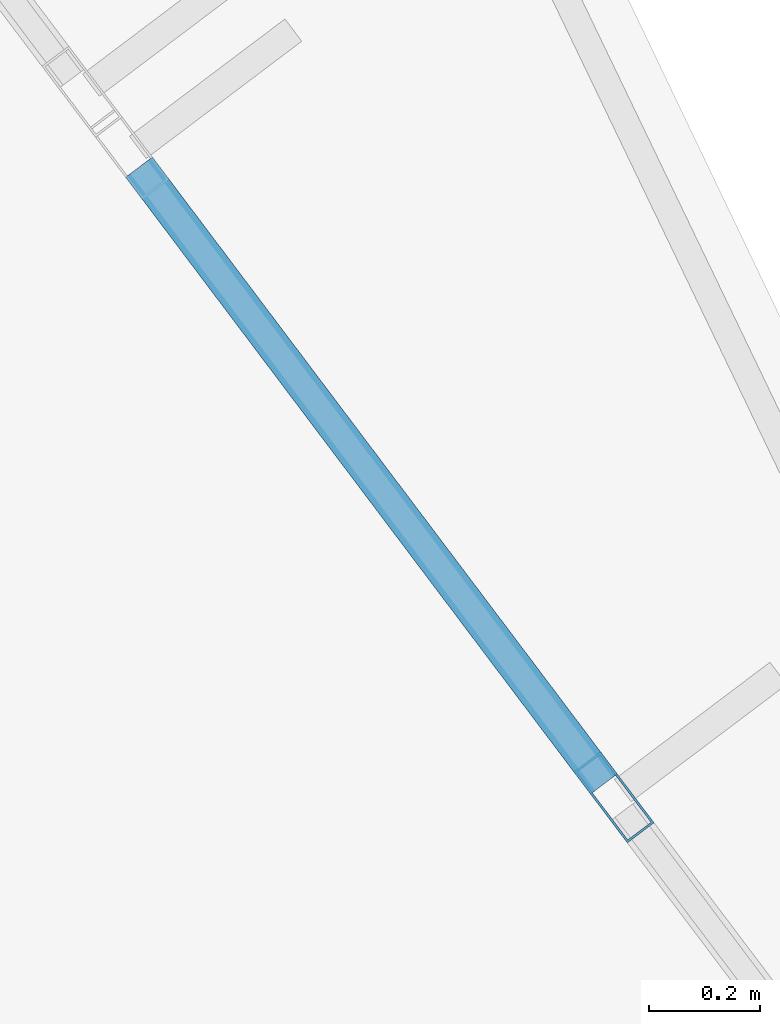
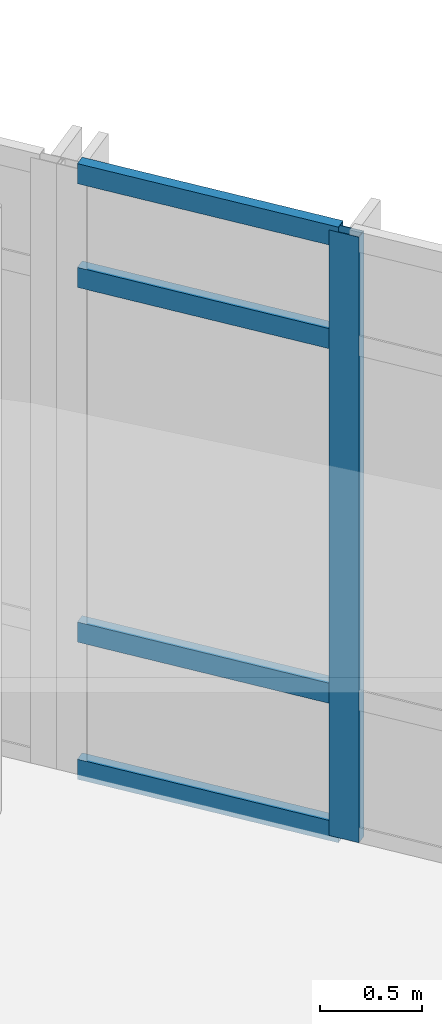
# One storey, part 47 of 74: 5 members, 1 element without a shape of its own.
"""IFC4 building model written with IfcOpenShell, lengths in metres."""

from ifc_helpers import new_model, si_unit, derived_unit, direction, frame, origin, origin_2d, place, context, subcontext, project, spatial, hollow_rectangle, extrude, material, layer, layer_set, material_profile, profile_set, type_object, element, aggregate, save


model = new_model("IFC4")

# Units and contexts
model_context = context("Model", 3, precision=1e-05, world=origin(), true_north=direction((0.0, 1.0)))
body_context = subcontext(model_context, "Body", "Model", "MODEL_VIEW")
ifc_project = project(units=[si_unit("LENGTHUNIT", "METRE"), si_unit("AREAUNIT", "SQUARE_METRE"), si_unit("VOLUMEUNIT", "CUBIC_METRE"), si_unit("PLANEANGLEUNIT", "RADIAN"), si_unit("MASSUNIT", "GRAM", prefix="KILO"), derived_unit("THERMALTRANSMITTANCEUNIT", [(si_unit("POWERUNIT", "WATT"), 1), (si_unit("LENGTHUNIT", "METRE"), -2), (si_unit("THERMODYNAMICTEMPERATUREUNIT", "KELVIN"), -1)])], contexts=[model_context])

# Site, building, storey
site_placement = place(None, origin())
site = spatial("IfcSite", under=ifc_project, at=site_placement, CompositionType="ELEMENT")
building_placement = place(site_placement, origin())
building = spatial("IfcBuilding", under=site, at=building_placement, Name="Elbkamm Science Centre", CompositionType="ELEMENT")
storey_placement = place(building_placement, frame((0.0, 0.0, 14.39990234375)))
storey = spatial("IfcBuildingStorey", under=building, at=storey_placement, Name="L03", CompositionType="ELEMENT", Elevation=14.39990234375)

# Curtain wall, members
ifc_material_1 = material(Name="Powder-coated aluminium and triple low-E glazing", Category="aluminium")
ifc_layer = layer(ifc_material_1, 0.159912109375)
ifc_layer_set = layer_set([ifc_layer], Name="Powder-coated aluminium and triple low-E glazing")
curtain_wall_type = type_object("IfcCurtainWallType", Name="CW-UNIT-2960x3620", PredefinedType="USERDEFINED", material=ifc_layer_set)
curtain_wall_placement = place(storey_placement, origin())
curtain_wall = element("IfcCurtainWall", 1, at=curtain_wall_placement, inside=storey, type_object=curtain_wall_type, Name="L03 Unitised Curtain Wall 049", ObjectType="UNITISED CURTAIN WALL", PredefinedType="USERDEFINED")
ifc_material_2 = material(Name="Powder-coated aluminium EN AW-6060", Category="aluminium")
ifc_material_profile_1 = material_profile(ifc_material_2, hollow_rectangle(XDim=0.06005859375, YDim=0.159912109375, WallThickness=0.00390625, at=origin_2d()), Name="ALU M60x160")
ifc_profile_set_1 = profile_set([ifc_material_profile_1], Name="Powder-coated aluminium EN AW-6060")
member_type_1 = type_object("IfcMemberType", Name="CW-MUL-60x160", PredefinedType="MULLION", material=ifc_profile_set_1)
member_1_placement = place(storey_placement, frame((83.8232421875, 80.563232421875, 0.0), z_axis=(0.0, 0.0, 1.0), x_axis=(-0.798585651148, -0.601881182445, 0.0)))
member_1 = element("IfcMember", 2, at=member_1_placement, type_object=member_type_1, Name="CW-022 mullion 2", PredefinedType="MULLION", context=body_context, shape_type="SweptSolid", body=[
    extrude(hollow_rectangle(XDim=0.06005859375, YDim=0.159912109375, WallThickness=0.00390625, at=origin_2d()), origin(), (0.0, 0.0, 1.0), 3.6201171875),
])
ifc_material_profile_2 = material_profile(ifc_material_2, hollow_rectangle(XDim=0.06005859375, YDim=0.1201171875, WallThickness=0.00341796875, at=origin_2d()), Name="ALU T60x120")
ifc_profile_set_2 = profile_set([ifc_material_profile_2], Name="Powder-coated aluminium EN AW-6060")
member_type_2 = type_object("IfcMemberType", Name="CW-TRN-60x120", PredefinedType="USERDEFINED", material=ifc_profile_set_2)
member_2_placement = place(storey_placement, frame((83.80517578125, 80.587158203125, 0.030029296875), z_axis=(-0.601882734701, 0.798584481235, 0.0), x_axis=(-0.798584481235, -0.601882734701, 0.0)))
member_2 = element("IfcMember", 3, at=member_2_placement, type_object=member_type_2, Name="CW-022 transom 2.1", ObjectType="TRANSOM", PredefinedType="USERDEFINED", context=body_context, shape_type="SweptSolid", body=[
    extrude(hollow_rectangle(XDim=0.06005859375, YDim=0.1201171875, WallThickness=0.00341796875, at=origin_2d()), origin(), (0.0, 0.0, 1.0), 1.388916015625),
])
member_3_placement = place(storey_placement, frame((83.80517578125, 80.587158203125, 0.85009765625), z_axis=(-0.601882734701, 0.798584481235, 0.0), x_axis=(-0.798584481235, -0.601882734701, 0.0)))
member_3 = element("IfcMember", 4, at=member_3_placement, type_object=member_type_2, Name="CW-022 transom 2.2", ObjectType="TRANSOM", PredefinedType="USERDEFINED", context=body_context, shape_type="SweptSolid", body=[
    extrude(hollow_rectangle(XDim=0.06005859375, YDim=0.1201171875, WallThickness=0.00341796875, at=origin_2d()), origin(), (0.0, 0.0, 1.0), 1.388916015625),
])
member_4_placement = place(storey_placement, frame((83.80517578125, 80.587158203125, 2.97021484375), z_axis=(-0.601882734701, 0.798584481235, 0.0), x_axis=(-0.798584481235, -0.601882734701, 0.0)))
member_4 = element("IfcMember", 5, at=member_4_placement, type_object=member_type_2, Name="CW-022 transom 2.3", ObjectType="TRANSOM", PredefinedType="USERDEFINED", context=body_context, shape_type="SweptSolid", body=[
    extrude(hollow_rectangle(XDim=0.06005859375, YDim=0.1201171875, WallThickness=0.00341796875, at=origin_2d()), origin(), (0.0, 0.0, 1.0), 1.388916015625),
])
member_5_placement = place(storey_placement, frame((83.80517578125, 80.587158203125, 3.590087890625), z_axis=(-0.601882734701, 0.798584481235, 0.0), x_axis=(-0.798584481235, -0.601882734701, 0.0)))
member_5 = element("IfcMember", 6, at=member_5_placement, type_object=member_type_2, Name="CW-022 transom 2.4", ObjectType="TRANSOM", PredefinedType="USERDEFINED", context=body_context, shape_type="SweptSolid", body=[
    extrude(hollow_rectangle(XDim=0.06005859375, YDim=0.1201171875, WallThickness=0.00341796875, at=origin_2d()), origin(), (0.0, 0.0, 1.0), 1.388916015625),
])
aggregate(curtain_wall, [member_1, member_2, member_3, member_4, member_5])

save(model, "model.ifc")
